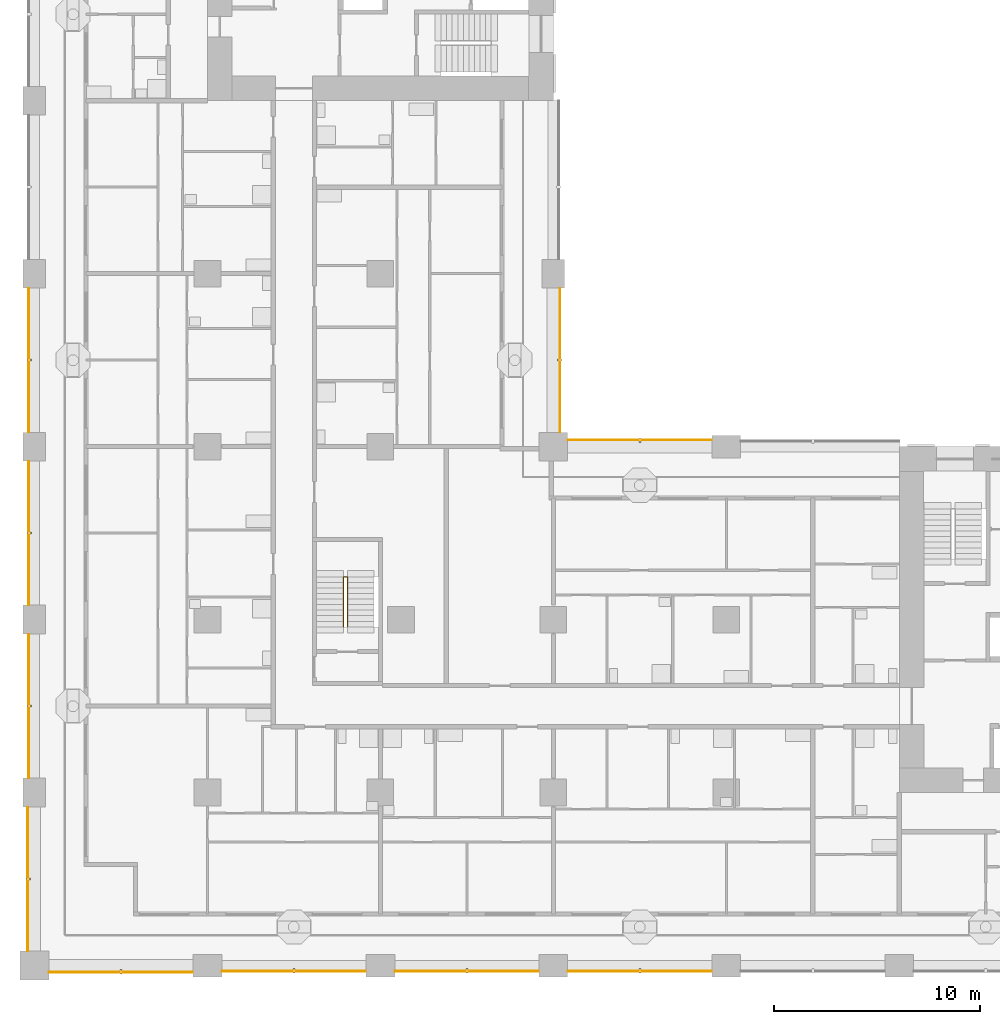
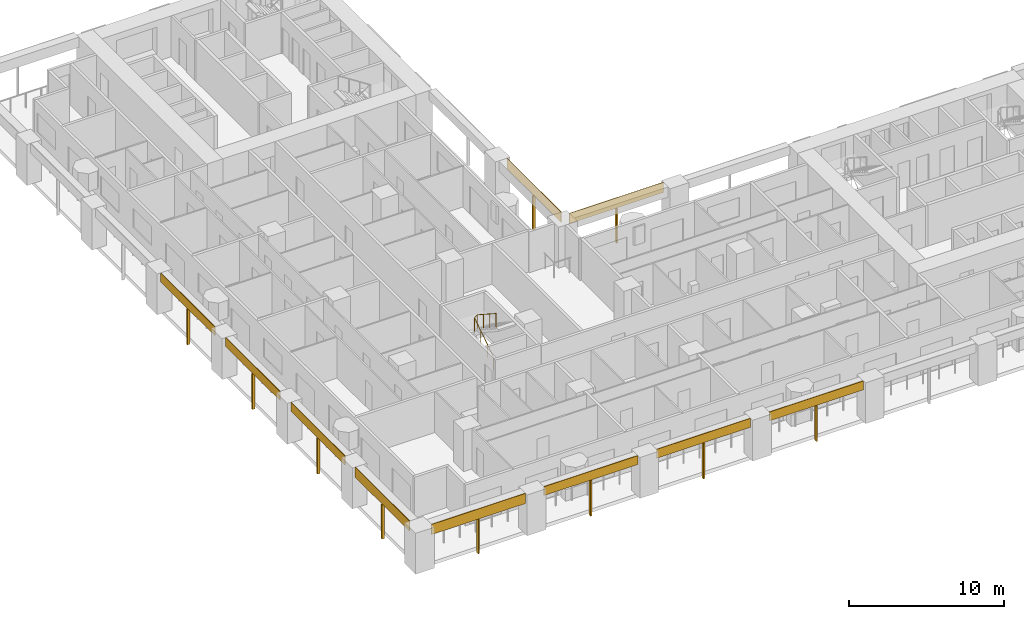
# One storey, part 12 of 22: 20 shading devices, 1 railing.
"""IFC4 building model written with IfcOpenShell, lengths in metres."""

from ifc_helpers import new_model, si_unit, direction, frame, origin, origin_2d, place, context, subcontext, project, spatial, rectangle, circle, extrude, material, layer, layer_set, material_profile, profile_set, type_object, element, save


model = new_model("IFC4")

# Units and contexts
model_context = context("Model", 3, precision=1e-05, world=origin(), true_north=direction((0.0, 1.0)))
body_context = subcontext(model_context, "Body", "Model", "MODEL_VIEW")
ifc_project = project(units=[si_unit("LENGTHUNIT", "METRE"), si_unit("AREAUNIT", "SQUARE_METRE"), si_unit("VOLUMEUNIT", "CUBIC_METRE"), si_unit("PLANEANGLEUNIT", "RADIAN"), si_unit("MASSUNIT", "GRAM", prefix="KILO")], contexts=[model_context])

# Site, building, storey
site_placement = place(None, origin())
site = spatial("IfcSite", under=ifc_project, at=site_placement, CompositionType="ELEMENT")
building_placement = place(site_placement, origin())
building = spatial("IfcBuilding", under=site, at=building_placement, Name="Vermilion Gate Residences", CompositionType="ELEMENT")
storey_placement = place(building_placement, frame((0.0, 0.0, 56.699951171875)))
storey = spatial("IfcBuildingStorey", under=building, at=storey_placement, Name="L13", CompositionType="ELEMENT", Elevation=56.699951171875)

# Shading devices
ifc_material_1 = material(Name="Perforated terracotta", Category="masonry")
ifc_layer = layer(ifc_material_1, 0.0400390625)
ifc_layer_set = layer_set([ifc_layer], Name="PERFORATED TERRACOTTA SCREEN 40")
shading_device_type_1 = type_object("IfcShadingDeviceType", Name="PERFORATED TERRACOTTA SCREEN 40", PredefinedType="SHUTTER", material=ifc_layer_set)
shading_device_1_placement = place(storey_placement, frame((4.199951171875, -0.320068359375, 2.419921875), z_axis=(0.0, 0.0, 1.0), x_axis=(1.0, 0.0, 0.0)))
element("IfcShadingDevice", 1, at=shading_device_1_placement, inside=storey, type_object=shading_device_type_1, Name="SCREEN", PredefinedType="SHUTTER", context=body_context, shape_type="SweptSolid", body=[
    extrude(rectangle(XDim=7.0, YDim=0.0400390625, at=origin_2d()), origin(), (0.0, 0.0, 1.0), 0.800048828125),
])
for number, where, z_axis, x_axis, name in (
    (2, (12.60009765625, -0.27001953125, 2.52001953125), (0.0, 0.0, 1.0), (1.0, 0.0, 0.0), "SCREEN"),
    (3, (21.0, -0.27001953125, 2.52001953125), (0.0, 0.0, 1.0), (1.0, 0.0, 0.0), "SCREEN"),
    (4, (29.39990234375, -0.27001953125, 2.52001953125), (0.0, 0.0, 1.0), (1.0, 0.0, 0.0), "SCREEN"),
):
    element("IfcShadingDevice", number, at=place(storey_placement, frame(where, z_axis=z_axis, x_axis=x_axis)), inside=storey, type_object=shading_device_type_1, Name=name, PredefinedType="SHUTTER", context=body_context, shape_type="SweptSolid", body=[
        extrude(rectangle(XDim=7.0, YDim=0.0400390625, at=origin_2d()), origin(), (0.0, 0.0, 1.0), 0.699951171875),
    ])
for number, where, z_axis, x_axis, name in (
    (5, (29.39990234375, 25.52001953125, 2.419921875), (0.0, 0.0, 1.0), (-1.0, 0.0, 0.0), "SCREEN"),
    (6, (25.52001953125, 29.39990234375, 2.419921875), (0.0, 0.0, 1.0), (0.0, 1.0, 0.0), "SCREEN"),
    (7, (-0.320068359375, 4.199951171875, 2.419921875), (0.0, 0.0, 1.0), (0.0, -1.0, 0.0), "SCREEN"),
):
    element("IfcShadingDevice", number, at=place(storey_placement, frame(where, z_axis=z_axis, x_axis=x_axis)), inside=storey, type_object=shading_device_type_1, Name=name, PredefinedType="SHUTTER", context=body_context, shape_type="SweptSolid", body=[
        extrude(rectangle(XDim=7.0, YDim=0.0400390625, at=origin_2d()), origin(), (0.0, 0.0, 1.0), 0.800048828125),
    ])
for number, where, z_axis, x_axis, name in (
    (8, (-0.27001953125, 12.60009765625, 2.52001953125), (0.0, 0.0, 1.0), (0.0, -1.0, 0.0), "SCREEN"),
    (9, (-0.27001953125, 21.0, 2.52001953125), (0.0, 0.0, 1.0), (0.0, -1.0, 0.0), "SCREEN"),
    (10, (-0.27001953125, 29.39990234375, 2.52001953125), (0.0, 0.0, 1.0), (0.0, -1.0, 0.0), "SCREEN"),
):
    element("IfcShadingDevice", number, at=place(storey_placement, frame(where, z_axis=z_axis, x_axis=x_axis)), inside=storey, type_object=shading_device_type_1, Name=name, PredefinedType="SHUTTER", context=body_context, shape_type="SweptSolid", body=[
        extrude(rectangle(XDim=7.0, YDim=0.0400390625, at=origin_2d()), origin(), (0.0, 0.0, 1.0), 0.699951171875),
    ])

# Railing
ifc_material_2 = material(Name="Steel S355", Category="steel")
railing_type = type_object("IfcRailingType", Name="STAIR GUARD 1100 STEEL", PredefinedType="GUARDRAIL", material=ifc_material_2)
railing_placement = place(storey_placement, frame((15.0, 16.449951171875, 0.175048828125)))
element("IfcRailing", 11, at=railing_placement, inside=storey, type_object=railing_type, Name="Stair well guard STC1-13", PredefinedType="GUARDRAIL", context=body_context, shape_type="SweptSolid", body=[
    extrude(circle(Radius=0.02392578125, at=origin_2d()), frame((0.0, 0.0, 1.076171875), z_axis=(0.0, 0.839153699163, 0.543894354798), x_axis=(-1.0, 0.0, 0.0)), (0.0, 0.0, 1.0), 2.895751953125),
    extrude(circle(Radius=0.02392578125, at=origin_2d()), frame((0.0, 2.429931640625, 2.65087890625), z_axis=(0.752405939678, 0.0, 0.658699705433), x_axis=(0.0, 1.0, 0.0)), (0.0, 0.0, 1.0), 0.265869140625),
    extrude(circle(Radius=0.02392578125, at=origin_2d()), frame((0.199951171875, 2.429931640625, 2.826171875), z_axis=(0.0, -0.839153699163, 0.543894354798), x_axis=(1.0, 0.0, 0.0)), (0.0, 0.0, 1.0), 2.895751953125),
    extrude(circle(Radius=0.02099609375, at=origin_2d()), origin(), (0.0, 0.0, 1.0), 1.052001953125),
    extrude(circle(Radius=0.02099609375, at=origin_2d()), frame((0.0, 0.81005859375, 0.52490234375)), (0.0, 0.0, 1.0), 1.052001953125),
    extrude(circle(Radius=0.02099609375, at=origin_2d()), frame((0.0, 1.619873046875, 1.050048828125)), (0.0, 0.0, 1.0), 1.052001953125),
    extrude(circle(Radius=0.02099609375, at=origin_2d()), frame((0.0, 2.429931640625, 1.574951171875)), (0.0, 0.0, 1.0), 1.052001953125),
    extrude(circle(Radius=0.02099609375, at=origin_2d()), frame((0.199951171875, 2.429931640625, 1.75)), (0.0, 0.0, 1.0), 1.052001953125),
    extrude(circle(Radius=0.02099609375, at=origin_2d()), frame((0.199951171875, 1.619873046875, 2.27490234375)), (0.0, 0.0, 1.0), 1.052001953125),
    extrude(circle(Radius=0.02099609375, at=origin_2d()), frame((0.199951171875, 0.81005859375, 2.800048828125)), (0.0, 0.0, 1.0), 1.052001953125),
    extrude(circle(Radius=0.02099609375, at=origin_2d()), frame((0.199951171875, 0.0, 3.324951171875)), (0.0, 0.0, 1.0), 1.052001953125),
])

# Shading devices
ifc_material_3 = material(Name="Extruded terracotta", Category="masonry")
ifc_material_profile = material_profile(ifc_material_3, rectangle(XDim=0.199951171875, YDim=0.10009765625, at=origin_2d()), Name="BAGUETTE 100 X 200")
ifc_profile_set = profile_set([ifc_material_profile], Name="Extruded terracotta")
shading_device_type_2 = type_object("IfcShadingDeviceType", Name="TERRACOTTA BAGUETTE 100 X 200", PredefinedType="JALOUSIE", material=ifc_profile_set)
shading_device_2_placement = place(storey_placement, frame((4.199951171875, -0.300048828125, -0.280029296875), z_axis=(0.0, 0.0, 1.0), x_axis=(0.0, 1.0, 0.0)))
element("IfcShadingDevice", 12, at=shading_device_2_placement, inside=storey, type_object=shading_device_type_2, Name="BAGUETTE", PredefinedType="JALOUSIE", context=body_context, shape_type="SweptSolid", body=[
    extrude(rectangle(XDim=0.199951171875, YDim=0.10009765625, at=origin_2d()), origin(), (0.0, 0.0, 1.0), 2.7001953125),
])
for number, where, z_axis, x_axis, name in (
    (13, (12.60009765625, -0.25, -0.280029296875), (0.0, 0.0, 1.0), (0.0, 1.0, 0.0), "BAGUETTE"),
    (14, (21.0, -0.25, -0.280029296875), (0.0, 0.0, 1.0), (0.0, 1.0, 0.0), "BAGUETTE"),
    (15, (29.39990234375, -0.25, -0.280029296875), (0.0, 0.0, 1.0), (0.0, 1.0, 0.0), "BAGUETTE"),
):
    element("IfcShadingDevice", number, at=place(storey_placement, frame(where, z_axis=z_axis, x_axis=x_axis)), inside=storey, type_object=shading_device_type_2, Name=name, PredefinedType="JALOUSIE", context=body_context, shape_type="SweptSolid", body=[
        extrude(rectangle(XDim=0.199951171875, YDim=0.10009765625, at=origin_2d()), origin(), (0.0, 0.0, 1.0), 2.800048828125),
    ])
for number, where, z_axis, x_axis, name in (
    (16, (29.39990234375, 25.5, -0.280029296875), (0.0, 0.0, 1.0), (0.0, -1.0, 0.0), "BAGUETTE"),
    (17, (25.5, 29.39990234375, -0.280029296875), (0.0, 0.0, 1.0), (-1.0, 0.0, 0.0), "BAGUETTE"),
    (18, (-0.300048828125, 4.199951171875, -0.280029296875), (0.0, 0.0, 1.0), (1.0, 0.0, 0.0), "BAGUETTE"),
):
    element("IfcShadingDevice", number, at=place(storey_placement, frame(where, z_axis=z_axis, x_axis=x_axis)), inside=storey, type_object=shading_device_type_2, Name=name, PredefinedType="JALOUSIE", context=body_context, shape_type="SweptSolid", body=[
        extrude(rectangle(XDim=0.199951171875, YDim=0.10009765625, at=origin_2d()), origin(), (0.0, 0.0, 1.0), 2.7001953125),
    ])
for number, where, z_axis, x_axis, name in (
    (19, (-0.25, 12.60009765625, -0.280029296875), (0.0, 0.0, 1.0), (1.0, 0.0, 0.0), "BAGUETTE"),
    (20, (-0.25, 21.0, -0.280029296875), (0.0, 0.0, 1.0), (1.0, 0.0, 0.0), "BAGUETTE"),
    (21, (-0.25, 29.39990234375, -0.280029296875), (0.0, 0.0, 1.0), (1.0, 0.0, 0.0), "BAGUETTE"),
):
    element("IfcShadingDevice", number, at=place(storey_placement, frame(where, z_axis=z_axis, x_axis=x_axis)), inside=storey, type_object=shading_device_type_2, Name=name, PredefinedType="JALOUSIE", context=body_context, shape_type="SweptSolid", body=[
        extrude(rectangle(XDim=0.199951171875, YDim=0.10009765625, at=origin_2d()), origin(), (0.0, 0.0, 1.0), 2.800048828125),
    ])

save(model, "model.ifc")
